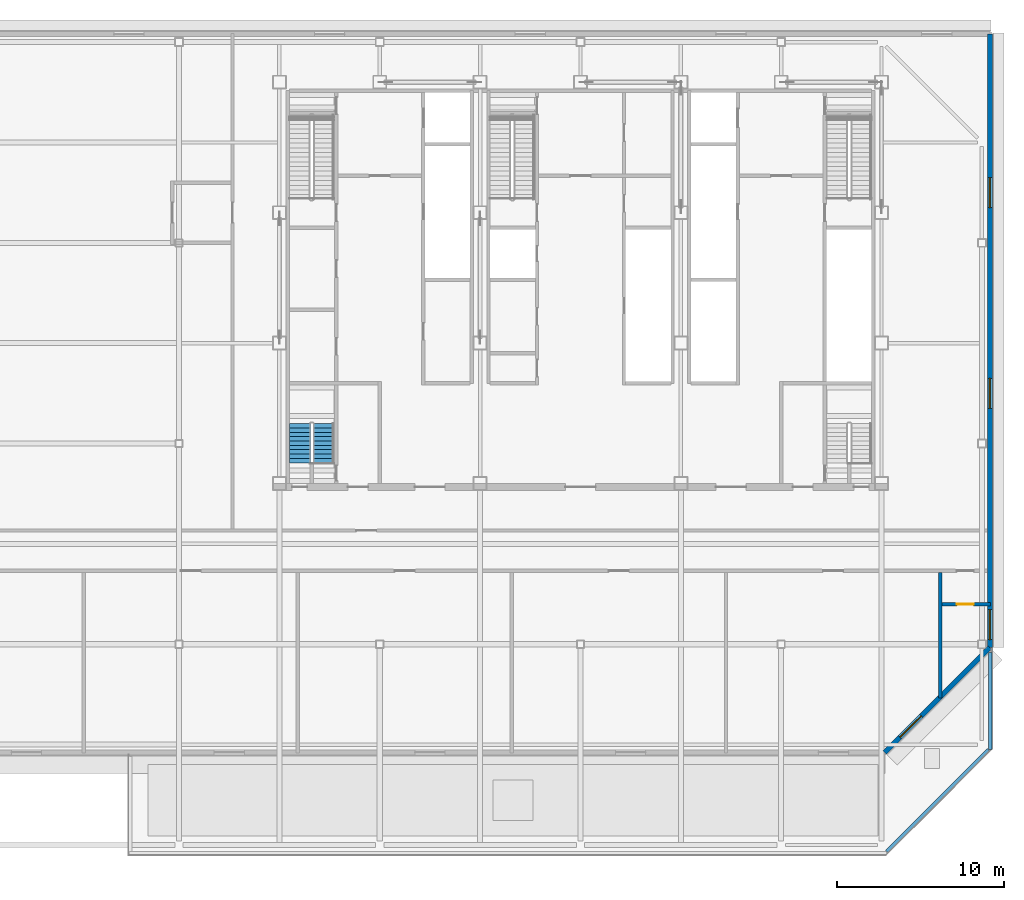
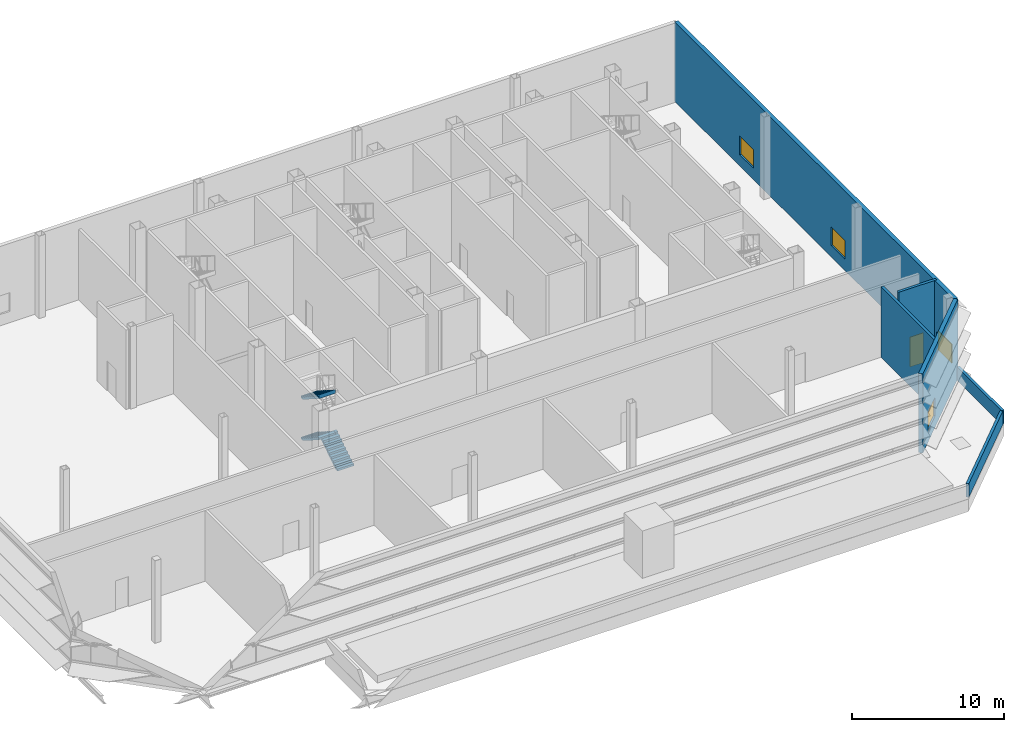
# One storey, part 8 of 14: 6 walls, 4 windows, 3 stair flights, 1 door, 5 openings, 1 element without a shape of its own.
"""IFC4 building model written with IfcOpenShell, lengths in metres."""

from ifc_helpers import new_model, si_unit, direction, frame, frame_2d, origin, place, context, subcontext, project, spatial, polyline, rectangle, outline, extrude, material, layer, layer_set, type_object, element, fill, aggregate, save


model = new_model("IFC4")

# Units and contexts
model_context = context("Model", 3, precision=1e-05, world=origin(), true_north=direction((0.0, 1.0)))
body_context = subcontext(model_context, "Body", "Model", "MODEL_VIEW")
ifc_project = project(units=[si_unit("LENGTHUNIT", "METRE"), si_unit("AREAUNIT", "SQUARE_METRE"), si_unit("VOLUMEUNIT", "CUBIC_METRE"), si_unit("PLANEANGLEUNIT", "RADIAN"), si_unit("MASSUNIT", "GRAM", prefix="KILO")], contexts=[model_context])

# Site, building, storey
site_placement = place(None, origin())
site = spatial("IfcSite", under=ifc_project, at=site_placement, CompositionType="ELEMENT")
building_placement = place(site_placement, origin())
building = spatial("IfcBuilding", under=site, at=building_placement, Name="Sorahane Residences", CompositionType="ELEMENT")
storey_placement = place(building_placement, frame((0.0, 0.0, 331.199951171875)))
storey = spatial("IfcBuildingStorey", under=building, at=storey_placement, Name="L79", CompositionType="ELEMENT", Elevation=331.199951171875)

# Wall, opening, window
ifc_material_1 = material(Name="Graphite insulated metal-clad wall")
ifc_layer_1 = layer(ifc_material_1, 0.300048828125)
ifc_layer_set_1 = layer_set([ifc_layer_1], Name="External wall insulated metal-clad 300")
wall_type_1 = type_object("IfcWallType", Name="External wall insulated metal-clad 300", PredefinedType="SOLIDWALL", material=ifc_layer_set_1)
wall_1_placement = place(storey_placement, frame((42.194580078125, 5.530029296875, 0.0), z_axis=(0.0, 0.0, 1.0), x_axis=(0.707106781187, 0.707106781187, 0.0)))
wall_1 = element("IfcWall", 1, at=wall_1_placement, inside=storey, type_object=wall_type_1, Name="External plant wall L79 SE1", PredefinedType="SOLIDWALL", context=body_context, shape_type="SweptSolid", body=[
    extrude(rectangle(XDim=8.874755859375, YDim=0.300048828125, at=frame_2d((4.4375, 0.0))), origin(), (0.0, 0.0, 1.0), 6.35009765625),
])
opening_1_placement = place(wall_1_placement, frame((1.291748046875, 0.0, 0.89990234375)))
opening_1 = element("IfcOpeningElement", 2, at=opening_1_placement, cuts=wall_1, Name="Opening W-R1", PredefinedType="OPENING", context=body_context, shape_type="SweptSolid", body=[
    extrude(rectangle(XDim=1.800048828125, YDim=1.5, at=frame_2d((0.89990234375, 0.75))), frame((0.0, 0.159912109375, 0.0), z_axis=(0.0, -1.0, 0.0), x_axis=(1.0, 0.0, 0.0)), (0.0, 0.0, 1.0), 0.320068359375),
])
ifc_material_2 = material(Name="Dark aluminium and glass", Category="aluminium")
window_type = type_object("IfcWindowType", Name="Openable Class B fire window dark aluminium 1800x1500", PartitioningType="SINGLE_PANEL", PredefinedType="WINDOW", material=ifc_material_2)
window_1_placement = place(opening_1_placement, origin())
window_1 = element("IfcWindow", 3, at=window_1_placement, inside=storey, type_object=window_type, Name="Openable fire window L79 SE1.1", OverallHeight=1.5, OverallWidth=1.800048828125, PartitioningType="SINGLE_PANEL", PredefinedType="WINDOW", context=body_context, shape_type="SweptSolid", body=[
    extrude(rectangle(XDim=1.800048828125, YDim=1.5, at=frame_2d((0.89990234375, 0.75))), frame((0.0, 0.030029296875, 0.0), z_axis=(0.0, -1.0, 0.0), x_axis=(1.0, 0.0, 0.0)), (0.0, 0.0, 1.0), 0.06005859375),
])
fill(opening_1, window_1)

# Wall, openings, windows
wall_2_placement = place(storey_placement, frame((48.469970703125, 11.805419921875, 0.0), z_axis=(0.0, 0.0, 1.0), x_axis=(0.0, 1.0, 0.0)))
wall_2 = element("IfcWall", 4, at=wall_2_placement, inside=storey, type_object=wall_type_1, Name="External plant wall L79 E1", PredefinedType="SOLIDWALL", context=body_context, shape_type="SweptSolid", body=[
    extrude(rectangle(XDim=36.66455078125, YDim=0.300048828125, at=frame_2d((18.332275390625, 0.0))), origin(), (0.0, 0.0, 1.0), 6.35009765625),
])
opening_2_placement = place(wall_2_placement, frame((0.470458984375, 0.0, 0.89990234375)))
opening_2 = element("IfcOpeningElement", 5, at=opening_2_placement, cuts=wall_2, Name="Opening W-R1", PredefinedType="OPENING", context=body_context, shape_type="SweptSolid", body=[
    extrude(rectangle(XDim=1.800048828125, YDim=1.5, at=frame_2d((0.89990234375, 0.75))), frame((0.0, 0.159912109375, 0.0), z_axis=(0.0, -1.0, 0.0), x_axis=(1.0, 0.0, 0.0)), (0.0, 0.0, 1.0), 0.320068359375),
])
opening_3_placement = place(wall_2_placement, frame((14.294677734375, 0.0, 0.89990234375)))
opening_3 = element("IfcOpeningElement", 6, at=opening_3_placement, cuts=wall_2, Name="Opening W-R1", PredefinedType="OPENING", context=body_context, shape_type="SweptSolid", body=[
    extrude(rectangle(XDim=1.800048828125, YDim=1.5, at=frame_2d((0.89990234375, 0.75))), frame((0.0, 0.159912109375, 0.0), z_axis=(0.0, -1.0, 0.0), x_axis=(1.0, 0.0, 0.0)), (0.0, 0.0, 1.0), 0.320068359375),
])
opening_4_placement = place(wall_2_placement, frame((26.294677734375, 0.0, 0.89990234375)))
opening_4 = element("IfcOpeningElement", 7, at=opening_4_placement, cuts=wall_2, Name="Opening W-R1", PredefinedType="OPENING", context=body_context, shape_type="SweptSolid", body=[
    extrude(rectangle(XDim=1.800048828125, YDim=1.5, at=frame_2d((0.89990234375, 0.75))), frame((0.0, 0.159912109375, 0.0), z_axis=(0.0, -1.0, 0.0), x_axis=(1.0, 0.0, 0.0)), (0.0, 0.0, 1.0), 0.320068359375),
])
window_2_placement = place(opening_2_placement, origin())
window_2 = element("IfcWindow", 8, at=window_2_placement, inside=storey, type_object=window_type, Name="Openable fire window L79 E1.1", OverallHeight=1.5, OverallWidth=1.800048828125, PartitioningType="SINGLE_PANEL", PredefinedType="WINDOW", context=body_context, shape_type="SweptSolid", body=[
    extrude(rectangle(XDim=1.800048828125, YDim=1.5, at=frame_2d((0.89990234375, 0.75))), frame((0.0, 0.030029296875, 0.0), z_axis=(0.0, -1.0, 0.0), x_axis=(1.0, 0.0, 0.0)), (0.0, 0.0, 1.0), 0.06005859375),
])
fill(opening_2, window_2)
window_3_placement = place(opening_3_placement, origin())
window_3 = element("IfcWindow", 9, at=window_3_placement, inside=storey, type_object=window_type, Name="Openable fire window L79 E1.3", OverallHeight=1.5, OverallWidth=1.800048828125, PartitioningType="SINGLE_PANEL", PredefinedType="WINDOW", context=body_context, shape_type="SweptSolid", body=[
    extrude(rectangle(XDim=1.800048828125, YDim=1.5, at=frame_2d((0.89990234375, 0.75))), frame((0.0, 0.030029296875, 0.0), z_axis=(0.0, -1.0, 0.0), x_axis=(1.0, 0.0, 0.0)), (0.0, 0.0, 1.0), 0.06005859375),
])
fill(opening_3, window_3)
window_4_placement = place(opening_4_placement, origin())
window_4 = element("IfcWindow", 10, at=window_4_placement, inside=storey, type_object=window_type, Name="Openable fire window L79 E1.5", OverallHeight=1.5, OverallWidth=1.800048828125, PartitioningType="SINGLE_PANEL", PredefinedType="WINDOW", context=body_context, shape_type="SweptSolid", body=[
    extrude(rectangle(XDim=1.800048828125, YDim=1.5, at=frame_2d((0.89990234375, 0.75))), frame((0.0, 0.030029296875, 0.0), z_axis=(0.0, -1.0, 0.0), x_axis=(1.0, 0.0, 0.0)), (0.0, 0.0, 1.0), 0.06005859375),
])
fill(opening_4, window_4)

# Wall
ifc_material_3 = material(Name="Concrete blockwork C20 wall", Category="masonry")
ifc_layer_2 = layer(ifc_material_3, 0.199951171875)
ifc_layer_set_2 = layer_set([ifc_layer_2], Name="Fire wall 200 EI 120")
wall_type_2 = type_object("IfcWallType", Name="Fire wall 200 EI 120", PredefinedType="SOLIDWALL", material=ifc_layer_set_2)
wall_3_placement = place(storey_placement, frame((45.5, 8.79296875, 0.0), z_axis=(0.0, 0.0, 1.0), x_axis=(0.0, 1.0, 0.0)))
element("IfcWall", 11, at=wall_3_placement, inside=storey, type_object=wall_type_2, Name="L79 fire wall", PredefinedType="SOLIDWALL", context=body_context, shape_type="SweptSolid", body=[
    extrude(rectangle(XDim=7.507080078125, YDim=0.199951171875, at=frame_2d((3.75341796875, 0.0))), origin(), (0.0, 0.0, 1.0), 5.650146484375),
])

# Wall, opening, door
wall_4_placement = place(storey_placement, frame((45.60009765625, 14.39990234375, 0.0), z_axis=(0.0, 0.0, 1.0), x_axis=(1.0, 0.0, 0.0)))
wall_4 = element("IfcWall", 12, at=wall_4_placement, inside=storey, type_object=wall_type_2, Name="L79 fire wall", PredefinedType="SOLIDWALL", context=body_context, shape_type="SweptSolid", body=[
    extrude(rectangle(XDim=2.89990234375, YDim=0.199951171875, at=frame_2d((1.449951171875, 0.0))), origin(), (0.0, 0.0, 1.0), 6.35009765625),
])
opening_5_placement = place(wall_4_placement, frame((0.89990234375, 0.0, 0.0)))
opening_5 = element("IfcOpeningElement", 13, at=opening_5_placement, cuts=wall_4, Name="Opening L79-07", PredefinedType="OPENING", context=body_context, shape_type="SweptSolid", body=[
    extrude(rectangle(XDim=1.0, YDim=2.39990234375, at=frame_2d((0.5, 1.199951171875))), frame((0.0, 0.10986328125, 0.0), z_axis=(0.0, -1.0, 0.0), x_axis=(1.0, 0.0, 0.0)), (0.0, 0.0, 1.0), 0.219970703125),
])
ifc_material_4 = material(Name="Steel", Category="steel")
door_type = type_object("IfcDoorType", Name="Fire door 1000x2400 FD60", OperationType="NOTDEFINED", PredefinedType="DOOR", material=ifc_material_4)
door_placement = place(opening_5_placement, frame((1.0, 0.0, 0.0), z_axis=(0.0, 0.0, 1.0), x_axis=(-1.0, 0.0, 0.0)))
door = element("IfcDoor", 14, at=door_placement, inside=storey, type_object=door_type, Name="Fire door L79-07", OperationType="SINGLE_SWING_RIGHT", OverallHeight=2.39990234375, OverallWidth=1.0, PredefinedType="DOOR", context=body_context, shape_type="SweptSolid", body=[
    extrude(rectangle(XDim=1.0, YDim=2.39990234375, at=frame_2d((0.5, 1.199951171875))), frame((0.0, 0.02490234375, 0.0), z_axis=(0.0, -1.0, 0.0), x_axis=(1.0, 0.0, 0.0)), (0.0, 0.0, 1.0), 0.050048828125),
])
fill(opening_5, door)

# Walls
ifc_material_5 = material(Name="Concrete C35", Category="concrete")
ifc_layer_3 = layer(ifc_material_5, 0.199951171875)
ifc_layer_set_3 = layer_set([ifc_layer_3], Name="Parapet wall Concrete C35 200")
wall_type_3 = type_object("IfcWallType", Name="Parapet wall Concrete C35 200", PredefinedType="PARAPET", material=ifc_layer_set_3)
wall_5_placement = place(storey_placement, frame((48.5, 11.510009765625, 0.0), z_axis=(0.0, 0.0, 1.0), x_axis=(0.0, -1.0, 0.0)))
element("IfcWall", 15, at=wall_5_placement, inside=storey, type_object=wall_type_3, Name="Roof parapet L79.1.1.1", PredefinedType="PARAPET", context=body_context, shape_type="SweptSolid", body=[
    extrude(rectangle(XDim=5.817138671875, YDim=0.199951171875, at=frame_2d((2.90869140625, 0.0))), origin(), (0.0, 0.0, 1.0), 1.10009765625),
])
wall_6_placement = place(storey_placement, frame((48.3974609375, 5.6904296875, 0.0), z_axis=(0.0, 0.0, 1.0), x_axis=(-0.707106781187, -0.707106781187, 0.0)))
element("IfcWall", 16, at=wall_6_placement, inside=storey, type_object=wall_type_3, Name="Roof parapet L79.1.1.2", PredefinedType="PARAPET", context=body_context, shape_type="SweptSolid", body=[
    extrude(rectangle(XDim=8.609619140625, YDim=0.199951171875, at=frame_2d((4.3046875, 0.0))), origin(), (0.0, 0.0, 1.0), 1.10009765625),
])

# Stair, stair flights
ifc_material_6 = material(Name="Concrete C40", Category="concrete")
stair_type = type_object("IfcStairType", Name="Dog-leg stair 1250 Concrete C40", PredefinedType="HALF_TURN_STAIR", material=ifc_material_6)
stair_placement = place(storey_placement, origin())
stair = element("IfcStair", 17, at=stair_placement, inside=storey, type_object=stair_type, Name="L79 Stair S4", PredefinedType="HALF_TURN_STAIR")
ifc_material_7 = material(Name="Concrete C40", Category="concrete")
stair_flight_type = type_object("IfcStairFlightType", Name="Stair flight 1250 Concrete C40", PredefinedType="STRAIGHT", material=ifc_material_7)
stair_flight_1_placement = place(storey_placement, frame((8.625, 22.85009765625, 0.0), z_axis=(0.0, 0.0, 1.0), x_axis=(0.0, 1.0, 0.0)))
stair_flight_1 = element("IfcStairFlight", 18, at=stair_flight_1_placement, type_object=stair_flight_type, Name="S4 flight 1", NumberOfRisers=10, NumberOfTreads=9, PredefinedType="STRAIGHT", RiserHeight=0.165, TreadLength=0.26, context=body_context, shape_type="SweptSolid", body=[
    extrude(outline(polyline([(-0.00146484375, 0.0), (-0.00146484375, 0.001953125), (-0.00146484375, 0.004150390625), (-0.00146484375, 0.006103515625), (-0.00146484375, 0.008056640625), (-0.00146484375, 0.01025390625), (-0.00146484375, 0.01220703125), (-0.00146484375, 0.01416015625), (-0.00146484375, 0.016357421875), (-0.00146484375, 0.018310546875), (-0.00146484375, 0.020263671875), (-0.00146484375, 0.0224609375), (-0.00146484375, 0.0244140625), (-0.00146484375, 0.0263671875), (-0.00146484375, 0.028564453125), (-0.00146484375, 0.030517578125), (-0.00146484375, 0.032470703125), (-0.00146484375, 0.03466796875), (-0.00146484375, 0.03662109375), (-0.00146484375, 0.038818359375), (-0.00146484375, 0.040771484375), (-0.00146484375, 0.042724609375), (-0.00146484375, 0.044921875), (-0.00146484375, 0.046875), (-0.00146484375, 0.048828125), (-0.00146484375, 0.051025390625), (-0.00146484375, 0.052978515625), (-0.00146484375, 0.054931640625), (-0.00146484375, 0.05712890625), (-0.00146484375, 0.05908203125), (-0.00146484375, 0.06103515625), (-0.00146484375, 0.063232421875), (-0.00146484375, 0.065185546875), (-0.00146484375, 0.067138671875), (-0.00146484375, 0.0693359375), (-0.00146484375, 0.0712890625), (-0.00146484375, 0.0732421875), (-0.00146484375, 0.075439453125), (-0.00146484375, 0.077392578125), (-0.00146484375, 0.079345703125), (-0.00146484375, 0.08154296875), (-0.00146484375, 0.08349609375), (-0.00146484375, 0.08544921875), (-0.00146484375, 0.087646484375), (-0.00146484375, 0.089599609375), (-0.00146484375, 0.091552734375), (-0.00146484375, 0.09375), (-0.00146484375, 0.095703125), (-0.00146484375, 0.09765625), (-0.00146484375, 0.099853515625), (-0.00146484375, 0.101806640625), (-0.00146484375, 0.10400390625), (-0.00146484375, 0.10595703125), (-0.00146484375, 0.10791015625), (-0.00146484375, 0.110107421875), (-0.00146484375, 0.112060546875), (-0.00146484375, 0.114013671875), (-0.00146484375, 0.1162109375), (-0.00146484375, 0.1181640625), (-0.00146484375, 0.1201171875), (-0.00146484375, 0.122314453125), (-0.00146484375, 0.124267578125), (-0.00146484375, 0.126220703125), (-0.00146484375, 0.12841796875), (-0.00146484375, 0.13037109375), (-0.00146484375, 0.13232421875), (-0.00146484375, 0.134521484375), (-0.00146484375, 0.136474609375), (-0.00146484375, 0.138427734375), (-0.00146484375, 0.140625), (-0.00146484375, 0.142578125), (-0.00146484375, 0.14453125), (-0.00146484375, 0.146728515625), (-0.00146484375, 0.148681640625), (-0.00146484375, 0.150634765625), (-0.00146484375, 0.15283203125), (-0.00146484375, 0.15478515625), (-0.00146484375, 0.15673828125), (-0.00146484375, 0.158935546875), (-0.00146484375, 0.160888671875), (-0.00146484375, 0.162841796875), (-0.00146484375, 0.1650390625), (0.0, 0.1650390625), (0.260009765625, 0.1650390625), (0.260009765625, 0.330078125), (0.52001953125, 0.330078125), (0.52001953125, 0.4951171875), (0.780029296875, 0.4951171875), (0.780029296875, 0.659912109375), (1.0400390625, 0.659912109375), (1.0400390625, 0.824951171875), (1.300048828125, 0.824951171875), (1.300048828125, 0.989990234375), (1.56005859375, 0.989990234375), (1.56005859375, 1.155029296875), (1.820068359375, 1.155029296875), (1.820068359375, 1.320068359375), (2.080078125, 1.320068359375), (2.080078125, 1.485107421875), (2.340087890625, 1.485107421875), (2.340087890625, 1.64990234375), (2.340087890625, 1.646240234375), (2.340087890625, 1.642333984375), (2.340087890625, 1.638671875), (2.340087890625, 1.634765625), (2.340087890625, 1.631103515625), (2.340087890625, 1.627197265625), (2.340087890625, 1.62353515625), (2.340087890625, 1.61962890625), (2.340087890625, 1.615966796875), (2.340087890625, 1.612060546875), (2.340087890625, 1.608154296875), (2.340087890625, 1.6044921875), (2.340087890625, 1.6005859375), (2.340087890625, 1.596923828125), (2.340087890625, 1.593017578125), (2.340087890625, 1.58935546875), (2.340087890625, 1.58544921875), (2.340087890625, 1.581787109375), (2.340087890625, 1.577880859375), (2.340087890625, 1.57421875), (2.340087890625, 1.5703125), (2.340087890625, 1.566650390625), (2.340087890625, 1.562744140625), (2.340087890625, 1.558837890625), (2.340087890625, 1.55517578125), (2.340087890625, 1.55126953125), (2.340087890625, 1.547607421875), (2.340087890625, 1.543701171875), (2.340087890625, 1.5400390625), (2.340087890625, 1.5361328125), (2.340087890625, 1.532470703125), (2.340087890625, 1.528564453125), (2.340087890625, 1.52490234375), (2.340087890625, 1.52099609375), (2.340087890625, 1.517333984375), (2.340087890625, 1.513427734375), (2.340087890625, 1.509765625), (2.340087890625, 1.505859375), (2.340087890625, 1.501953125), (2.340087890625, 1.498291015625), (2.340087890625, 1.494384765625), (2.340087890625, 1.49072265625), (2.340087890625, 1.48681640625), (2.340087890625, 1.483154296875), (2.340087890625, 1.479248046875), (2.340087890625, 1.4755859375), (2.340087890625, 1.4716796875), (2.340087890625, 1.468017578125), (2.340087890625, 1.464111328125), (2.340087890625, 1.46044921875), (2.340087890625, 1.45654296875), (2.340087890625, 1.45263671875), (2.340087890625, 1.448974609375), (2.340087890625, 1.445068359375), (2.340087890625, 1.44140625), (2.340087890625, 1.4375), (2.340087890625, 1.433837890625), (2.340087890625, 1.429931640625), (2.340087890625, 1.42626953125), (2.340087890625, 1.42236328125), (2.340087890625, 1.418701171875), (2.340087890625, 1.414794921875), (2.340087890625, 1.4111328125), (2.340087890625, 1.4072265625), (2.340087890625, 1.4033203125), (2.340087890625, 1.399658203125), (2.340087890625, 1.395751953125), (2.340087890625, 1.39208984375), (2.340087890625, 1.38818359375), (2.340087890625, 1.384521484375), (2.340087890625, 1.380615234375), (2.340087890625, 1.376953125), (2.340087890625, 1.373046875), (2.340087890625, 1.369384765625), (2.340087890625, 1.365478515625), (2.340087890625, 1.36181640625), (2.340087890625, 1.35791015625), (2.340087890625, 1.35400390625), (2.340087890625, 1.350341796875), (2.340087890625, 1.346435546875), (2.340087890625, 1.3427734375), (2.147705078125, 1.220703125), (1.955322265625, 1.0986328125), (1.762939453125, 0.9765625), (1.570556640625, 0.8544921875), (1.378173828125, 0.732421875), (1.185791015625, 0.6103515625), (0.99365234375, 0.48828125), (0.80126953125, 0.3662109375), (0.60888671875, 0.244140625), (0.41650390625, 0.1220703125), (0.22412109375, 0.0), (-0.00146484375, 0.0)])), frame((0.0, 0.625, 0.0), z_axis=(0.0, -1.0, 0.0), x_axis=(1.0, 0.0, 0.0)), (0.0, 0.0, 1.0), 1.25),
])
stair_flight_2_placement = place(storey_placement, frame((7.22509765625, 25.18994140625, 1.650146484375), z_axis=(0.0, 0.0, 1.0), x_axis=(0.0, -1.0, 0.0)))
stair_flight_2 = element("IfcStairFlight", 19, at=stair_flight_2_placement, type_object=stair_flight_type, Name="S4 flight 2", NumberOfRisers=10, NumberOfTreads=9, PredefinedType="STRAIGHT", RiserHeight=0.165, TreadLength=0.26, context=body_context, shape_type="SweptSolid", body=[
    extrude(outline(polyline([(0.0, 0.0), (0.0, 0.001953125), (0.0, 0.004150390625), (0.0, 0.006103515625), (0.0, 0.008056640625), (0.0, 0.01025390625), (0.0, 0.01220703125), (0.0, 0.01416015625), (0.0, 0.016357421875), (0.0, 0.018310546875), (0.0, 0.020263671875), (0.0, 0.0224609375), (0.0, 0.0244140625), (0.0, 0.0263671875), (0.0, 0.028564453125), (0.0, 0.030517578125), (0.0, 0.032470703125), (0.0, 0.03466796875), (0.0, 0.03662109375), (0.0, 0.038818359375), (0.0, 0.040771484375), (0.0, 0.042724609375), (0.0, 0.044921875), (0.0, 0.046875), (0.0, 0.048828125), (0.0, 0.051025390625), (0.0, 0.052978515625), (0.0, 0.054931640625), (0.0, 0.05712890625), (0.0, 0.05908203125), (0.0, 0.06103515625), (0.0, 0.063232421875), (0.0, 0.065185546875), (0.0, 0.067138671875), (0.0, 0.0693359375), (0.0, 0.0712890625), (0.0, 0.0732421875), (0.0, 0.075439453125), (0.0, 0.077392578125), (0.0, 0.079345703125), (0.0, 0.08154296875), (0.0, 0.08349609375), (0.0, 0.08544921875), (0.0, 0.087646484375), (0.0, 0.089599609375), (0.0, 0.091552734375), (0.0, 0.09375), (0.0, 0.095703125), (0.0, 0.09765625), (0.0, 0.099853515625), (0.0, 0.101806640625), (0.0, 0.10400390625), (0.0, 0.10595703125), (0.0, 0.10791015625), (0.0, 0.110107421875), (0.0, 0.112060546875), (0.0, 0.114013671875), (0.0, 0.1162109375), (0.0, 0.1181640625), (0.0, 0.1201171875), (0.0, 0.122314453125), (0.0, 0.124267578125), (0.0, 0.126220703125), (0.0, 0.12841796875), (0.0, 0.13037109375), (0.0, 0.13232421875), (0.0, 0.134521484375), (0.0, 0.136474609375), (0.0, 0.138427734375), (0.0, 0.140625), (0.0, 0.142578125), (0.0, 0.14453125), (0.0, 0.146728515625), (0.0, 0.148681640625), (0.0, 0.150634765625), (0.0, 0.15283203125), (0.0, 0.15478515625), (0.0, 0.15673828125), (0.0, 0.158935546875), (0.0, 0.160888671875), (0.0, 0.162841796875), (0.0, 0.1650390625), (0.260009765625, 0.1650390625), (0.260009765625, 0.330078125), (0.52001953125, 0.330078125), (0.52001953125, 0.4951171875), (0.780029296875, 0.4951171875), (0.780029296875, 0.659912109375), (1.0400390625, 0.659912109375), (1.0400390625, 0.824951171875), (1.300048828125, 0.824951171875), (1.300048828125, 0.989990234375), (1.56005859375, 0.989990234375), (1.56005859375, 1.155029296875), (1.820068359375, 1.155029296875), (1.820068359375, 1.320068359375), (2.080078125, 1.320068359375), (2.080078125, 1.485107421875), (2.340087890625, 1.485107421875), (2.340087890625, 1.64990234375), (2.340087890625, 1.646240234375), (2.340087890625, 1.642333984375), (2.340087890625, 1.638671875), (2.340087890625, 1.634765625), (2.340087890625, 1.631103515625), (2.340087890625, 1.627197265625), (2.340087890625, 1.62353515625), (2.340087890625, 1.61962890625), (2.340087890625, 1.615966796875), (2.340087890625, 1.612060546875), (2.340087890625, 1.608154296875), (2.340087890625, 1.6044921875), (2.340087890625, 1.6005859375), (2.340087890625, 1.596923828125), (2.340087890625, 1.593017578125), (2.340087890625, 1.58935546875), (2.340087890625, 1.58544921875), (2.340087890625, 1.581787109375), (2.340087890625, 1.577880859375), (2.340087890625, 1.57421875), (2.340087890625, 1.5703125), (2.340087890625, 1.566650390625), (2.340087890625, 1.562744140625), (2.340087890625, 1.558837890625), (2.340087890625, 1.55517578125), (2.340087890625, 1.55126953125), (2.340087890625, 1.547607421875), (2.340087890625, 1.543701171875), (2.340087890625, 1.5400390625), (2.340087890625, 1.5361328125), (2.340087890625, 1.532470703125), (2.340087890625, 1.528564453125), (2.340087890625, 1.52490234375), (2.340087890625, 1.52099609375), (2.340087890625, 1.517333984375), (2.340087890625, 1.513427734375), (2.340087890625, 1.509765625), (2.340087890625, 1.505859375), (2.340087890625, 1.501953125), (2.340087890625, 1.498291015625), (2.340087890625, 1.494384765625), (2.340087890625, 1.49072265625), (2.340087890625, 1.48681640625), (2.340087890625, 1.483154296875), (2.340087890625, 1.479248046875), (2.340087890625, 1.4755859375), (2.340087890625, 1.4716796875), (2.340087890625, 1.468017578125), (2.340087890625, 1.464111328125), (2.340087890625, 1.46044921875), (2.340087890625, 1.45654296875), (2.340087890625, 1.45263671875), (2.340087890625, 1.448974609375), (2.340087890625, 1.445068359375), (2.340087890625, 1.44140625), (2.340087890625, 1.4375), (2.340087890625, 1.433837890625), (2.340087890625, 1.429931640625), (2.340087890625, 1.42626953125), (2.340087890625, 1.42236328125), (2.340087890625, 1.418701171875), (2.340087890625, 1.414794921875), (2.340087890625, 1.4111328125), (2.340087890625, 1.4072265625), (2.340087890625, 1.4033203125), (2.340087890625, 1.399658203125), (2.340087890625, 1.395751953125), (2.340087890625, 1.39208984375), (2.340087890625, 1.38818359375), (2.340087890625, 1.384521484375), (2.340087890625, 1.380615234375), (2.340087890625, 1.376953125), (2.340087890625, 1.373046875), (2.340087890625, 1.369384765625), (2.340087890625, 1.365478515625), (2.340087890625, 1.36181640625), (2.340087890625, 1.35791015625), (2.340087890625, 1.35400390625), (2.340087890625, 1.350341796875), (2.340087890625, 1.346435546875), (2.340087890625, 1.3427734375), (2.12841796875, 1.20849609375), (1.916748046875, 1.07421875), (1.705322265625, 0.93994140625), (1.49365234375, 0.8056640625), (1.281982421875, 0.67138671875), (1.070556640625, 0.537109375), (0.85888671875, 0.40283203125), (0.647216796875, 0.2685546875), (0.435791015625, 0.13427734375), (0.22412109375, 0.0), (0.0, 0.0)])), frame((0.0, 0.625, 0.0), z_axis=(0.0, -1.0, 0.0), x_axis=(1.0, 0.0, 0.0)), (0.0, 0.0, 1.0), 1.25),
])
stair_flight_3_placement = place(storey_placement, frame((7.22509765625, 25.18994140625, 4.949951171875), z_axis=(0.0, 0.0, 1.0), x_axis=(0.0, -1.0, 0.0)))
stair_flight_3 = element("IfcStairFlight", 20, at=stair_flight_3_placement, type_object=stair_flight_type, Name="S4 flight 4", NumberOfRisers=10, NumberOfTreads=9, PredefinedType="STRAIGHT", RiserHeight=0.165, TreadLength=0.26, context=body_context, shape_type="SweptSolid", body=[
    extrude(outline(polyline([(0.0, 0.0), (0.0, 0.001953125), (0.0, 0.004150390625), (0.0, 0.006103515625), (0.0, 0.008056640625), (0.0, 0.01025390625), (0.0, 0.01220703125), (0.0, 0.01416015625), (0.0, 0.016357421875), (0.0, 0.018310546875), (0.0, 0.020263671875), (0.0, 0.0224609375), (0.0, 0.0244140625), (0.0, 0.0263671875), (0.0, 0.028564453125), (0.0, 0.030517578125), (0.0, 0.032470703125), (0.0, 0.03466796875), (0.0, 0.03662109375), (0.0, 0.038818359375), (0.0, 0.040771484375), (0.0, 0.042724609375), (0.0, 0.044921875), (0.0, 0.046875), (0.0, 0.048828125), (0.0, 0.051025390625), (0.0, 0.052978515625), (0.0, 0.054931640625), (0.0, 0.05712890625), (0.0, 0.05908203125), (0.0, 0.06103515625), (0.0, 0.063232421875), (0.0, 0.065185546875), (0.0, 0.067138671875), (0.0, 0.0693359375), (0.0, 0.0712890625), (0.0, 0.0732421875), (0.0, 0.075439453125), (0.0, 0.077392578125), (0.0, 0.079345703125), (0.0, 0.08154296875), (0.0, 0.08349609375), (0.0, 0.08544921875), (0.0, 0.087646484375), (0.0, 0.089599609375), (0.0, 0.091552734375), (0.0, 0.09375), (0.0, 0.095703125), (0.0, 0.09765625), (0.0, 0.099853515625), (0.0, 0.101806640625), (0.0, 0.10400390625), (0.0, 0.10595703125), (0.0, 0.10791015625), (0.0, 0.110107421875), (0.0, 0.112060546875), (0.0, 0.114013671875), (0.0, 0.1162109375), (0.0, 0.1181640625), (0.0, 0.1201171875), (0.0, 0.122314453125), (0.0, 0.124267578125), (0.0, 0.126220703125), (0.0, 0.12841796875), (0.0, 0.13037109375), (0.0, 0.13232421875), (0.0, 0.134521484375), (0.0, 0.136474609375), (0.0, 0.138427734375), (0.0, 0.140625), (0.0, 0.142578125), (0.0, 0.14453125), (0.0, 0.146728515625), (0.0, 0.148681640625), (0.0, 0.150634765625), (0.0, 0.15283203125), (0.0, 0.15478515625), (0.0, 0.15673828125), (0.0, 0.158935546875), (0.0, 0.160888671875), (0.0, 0.162841796875), (0.0, 0.1650390625), (0.260009765625, 0.1650390625), (0.260009765625, 0.330078125), (0.52001953125, 0.330078125), (0.52001953125, 0.4951171875), (0.780029296875, 0.4951171875), (0.780029296875, 0.659912109375), (1.0400390625, 0.659912109375), (1.0400390625, 0.824951171875), (1.300048828125, 0.824951171875), (1.300048828125, 0.989990234375), (1.56005859375, 0.989990234375), (1.56005859375, 1.155029296875), (1.820068359375, 1.155029296875), (1.820068359375, 1.320068359375), (2.080078125, 1.320068359375), (2.080078125, 1.485107421875), (2.340087890625, 1.485107421875), (2.340087890625, 1.64990234375), (2.341552734375, 1.64990234375), (2.341552734375, 1.646240234375), (2.341552734375, 1.642333984375), (2.341552734375, 1.638671875), (2.341552734375, 1.634765625), (2.341552734375, 1.631103515625), (2.341552734375, 1.627197265625), (2.341552734375, 1.62353515625), (2.341552734375, 1.61962890625), (2.341552734375, 1.615966796875), (2.341552734375, 1.612060546875), (2.341552734375, 1.608154296875), (2.341552734375, 1.6044921875), (2.341552734375, 1.6005859375), (2.341552734375, 1.596923828125), (2.341552734375, 1.593017578125), (2.341552734375, 1.58935546875), (2.341552734375, 1.58544921875), (2.341552734375, 1.581787109375), (2.341552734375, 1.577880859375), (2.341552734375, 1.57421875), (2.341552734375, 1.5703125), (2.341552734375, 1.566650390625), (2.341552734375, 1.562744140625), (2.341552734375, 1.558837890625), (2.341552734375, 1.55517578125), (2.341552734375, 1.55126953125), (2.341552734375, 1.547607421875), (2.341552734375, 1.543701171875), (2.341552734375, 1.5400390625), (2.341552734375, 1.5361328125), (2.341552734375, 1.532470703125), (2.341552734375, 1.528564453125), (2.341552734375, 1.52490234375), (2.341552734375, 1.52099609375), (2.341552734375, 1.517333984375), (2.341552734375, 1.513427734375), (2.341552734375, 1.509765625), (2.341552734375, 1.505859375), (2.341552734375, 1.501953125), (2.341552734375, 1.498291015625), (2.341552734375, 1.494384765625), (2.341552734375, 1.49072265625), (2.341552734375, 1.48681640625), (2.341552734375, 1.483154296875), (2.341552734375, 1.479248046875), (2.341552734375, 1.4755859375), (2.341552734375, 1.4716796875), (2.341552734375, 1.468017578125), (2.341552734375, 1.464111328125), (2.341552734375, 1.46044921875), (2.341552734375, 1.45654296875), (2.341552734375, 1.45263671875), (2.341552734375, 1.448974609375), (2.341552734375, 1.445068359375), (2.341552734375, 1.44140625), (2.341552734375, 1.4375), (2.341552734375, 1.433837890625), (2.341552734375, 1.429931640625), (2.341552734375, 1.42626953125), (2.341552734375, 1.42236328125), (2.341552734375, 1.418701171875), (2.341552734375, 1.414794921875), (2.341552734375, 1.4111328125), (2.341552734375, 1.4072265625), (2.341552734375, 1.4033203125), (2.341552734375, 1.399658203125), (2.341552734375, 1.395751953125), (2.341552734375, 1.39208984375), (2.341552734375, 1.38818359375), (2.341552734375, 1.384521484375), (2.341552734375, 1.380615234375), (2.341552734375, 1.376953125), (2.341552734375, 1.373046875), (2.341552734375, 1.369384765625), (2.341552734375, 1.365478515625), (2.341552734375, 1.36181640625), (2.341552734375, 1.35791015625), (2.341552734375, 1.35400390625), (2.341552734375, 1.350341796875), (2.341552734375, 1.346435546875), (2.341552734375, 1.3427734375), (2.14892578125, 1.220703125), (1.95654296875, 1.0986328125), (1.76416015625, 0.9765625), (1.571533203125, 0.8544921875), (1.379150390625, 0.732421875), (1.1865234375, 0.6103515625), (0.994140625, 0.48828125), (0.801513671875, 0.3662109375), (0.609130859375, 0.244140625), (0.416748046875, 0.1220703125), (0.22412109375, 0.0), (0.0, 0.0)])), frame((0.0, 0.625, 0.0), z_axis=(0.0, -1.0, 0.0), x_axis=(1.0, 0.0, 0.0)), (0.0, 0.0, 1.0), 1.25),
])
aggregate(stair, [stair_flight_1, stair_flight_2, stair_flight_3])

save(model, "model.ifc")
